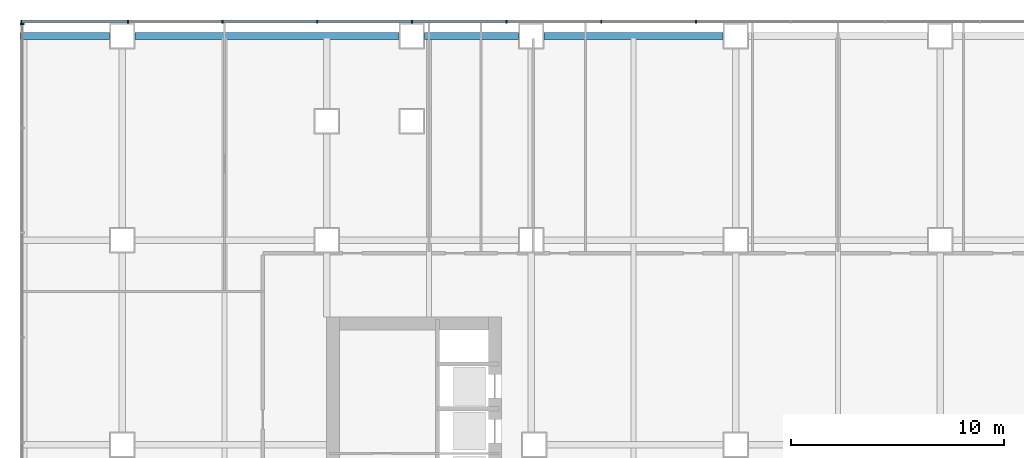
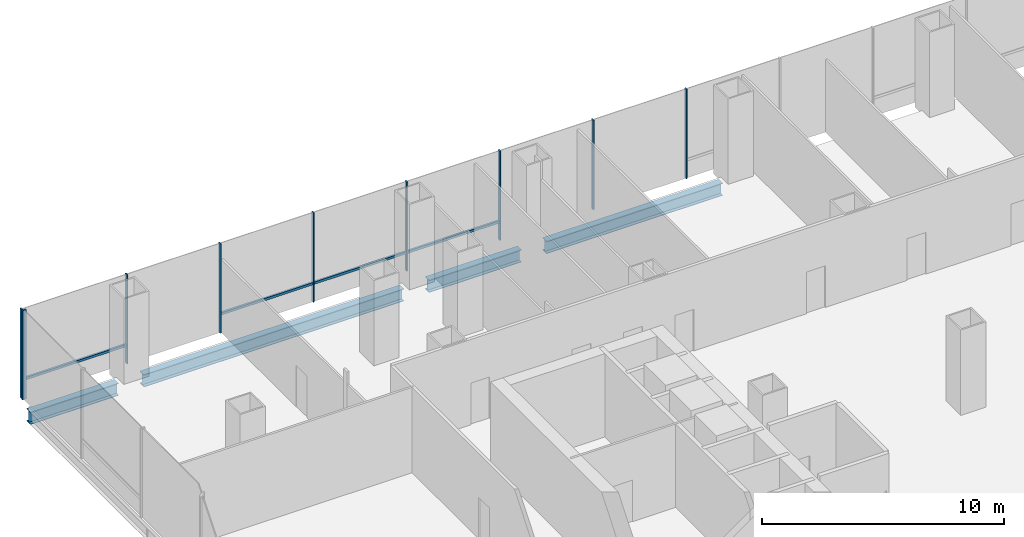
# One storey, part 9 of 23: 13 members, 4 beams, 2 elements without a shape of their own.
"""IFC4 building model written with IfcOpenShell, lengths in metres."""

from ifc_helpers import new_model, si_unit, direction, frame, origin, origin_2d, place, context, subcontext, project, spatial, rectangle, i_section, extrude, material, material_profile, profile_set, type_object, element, aggregate, save


model = new_model("IFC4")

# Units and contexts
model_context = context("Model", 3, precision=1e-05, world=origin(), true_north=direction((0.0, 1.0)))
body_context = subcontext(model_context, "Body", "Model", "MODEL_VIEW")
ifc_project = project(units=[si_unit("LENGTHUNIT", "METRE"), si_unit("AREAUNIT", "SQUARE_METRE"), si_unit("VOLUMEUNIT", "CUBIC_METRE"), si_unit("PLANEANGLEUNIT", "RADIAN"), si_unit("MASSUNIT", "GRAM", prefix="KILO")], contexts=[model_context])

# Site, building, storey
site_placement = place(None, origin())
site = spatial("IfcSite", under=ifc_project, at=site_placement, CompositionType="ELEMENT")
building_placement = place(site_placement, origin())
building = spatial("IfcBuilding", under=site, at=building_placement, Name="Cobrizo Arcos Hotel Tower", CompositionType="ELEMENT")
storey_placement = place(building_placement, frame((0.0, 0.0, 20.0)))
storey = spatial("IfcBuildingStorey", under=building, at=storey_placement, Name="L03", CompositionType="ELEMENT", Elevation=20.0)

# Curtain wall, members
ifc_material_1 = material(Name="Aluminium 6063-T6 anodised bronze", Category="aluminium")
curtain_wall_type_1 = type_object("IfcCurtainWallType", Name="CW-A guest facade", PredefinedType="NOTDEFINED", material=ifc_material_1)
curtain_wall_1_placement = place(storey_placement, origin())
curtain_wall_1 = element("IfcCurtainWall", 1, at=curtain_wall_1_placement, inside=storey, type_object=curtain_wall_type_1, Name="CW-A L03 N face", PredefinedType="NOTDEFINED")
ifc_material_profile_1 = material_profile(ifc_material_1, rectangle(XDim=0.14990234375, YDim=0.06005859375, at=origin_2d()), Name="CW-A mullion 150x60")
ifc_profile_set_1 = profile_set([ifc_material_profile_1], Name="Aluminium 6063-T6 anodised bronze")
member_type_1 = type_object("IfcMemberType", Name="CW-A mullion 150x60", PredefinedType="MULLION", material=ifc_profile_set_1)
member_1_placement = place(storey_placement, frame((-6.666748046875, 24.675048828125, 0.0), z_axis=(0.0, 0.0, 1.0), x_axis=(0.0, 1.0, 0.0)))
member_1 = element("IfcMember", 2, at=member_1_placement, type_object=member_type_1, Name="CW-A mullion 11", PredefinedType="MULLION", context=body_context, shape_type="SweptSolid", body=[
    extrude(rectangle(XDim=0.14990234375, YDim=0.06005859375, at=origin_2d()), origin(), (0.0, 0.0, 1.0), 4.5),
])
member_2_placement = place(storey_placement, frame((-11.111083984375, 24.675048828125, 0.0), z_axis=(0.0, 0.0, 1.0), x_axis=(0.0, 1.0, 0.0)))
member_2 = element("IfcMember", 3, at=member_2_placement, type_object=member_type_1, Name="CW-A mullion 12", PredefinedType="MULLION", context=body_context, shape_type="SweptSolid", body=[
    extrude(rectangle(XDim=0.14990234375, YDim=0.06005859375, at=origin_2d()), origin(), (0.0, 0.0, 1.0), 4.5),
])
member_3_placement = place(storey_placement, frame((-15.5556640625, 24.675048828125, 0.0), z_axis=(0.0, 0.0, 1.0), x_axis=(0.0, 1.0, 0.0)))
member_3 = element("IfcMember", 4, at=member_3_placement, type_object=member_type_1, Name="CW-A mullion 13", PredefinedType="MULLION", context=body_context, shape_type="SweptSolid", body=[
    extrude(rectangle(XDim=0.14990234375, YDim=0.06005859375, at=origin_2d()), origin(), (0.0, 0.0, 1.0), 4.5),
])
member_4_placement = place(storey_placement, frame((-20.0, 24.675048828125, 0.0), z_axis=(0.0, 0.0, 1.0), x_axis=(0.0, 1.0, 0.0)))
member_4 = element("IfcMember", 5, at=member_4_placement, type_object=member_type_1, Name="CW-A mullion 14", PredefinedType="MULLION", context=body_context, shape_type="SweptSolid", body=[
    extrude(rectangle(XDim=0.14990234375, YDim=0.06005859375, at=origin_2d()), origin(), (0.0, 0.0, 1.0), 4.5),
])
member_5_placement = place(storey_placement, frame((-24.4443359375, 24.675048828125, 0.0), z_axis=(0.0, 0.0, 1.0), x_axis=(0.0, 1.0, 0.0)))
member_5 = element("IfcMember", 6, at=member_5_placement, type_object=member_type_1, Name="CW-A mullion 15", PredefinedType="MULLION", context=body_context, shape_type="SweptSolid", body=[
    extrude(rectangle(XDim=0.14990234375, YDim=0.06005859375, at=origin_2d()), origin(), (0.0, 0.0, 1.0), 4.5),
])
member_6_placement = place(storey_placement, frame((-28.888916015625, 24.675048828125, 0.0), z_axis=(0.0, 0.0, 1.0), x_axis=(0.0, 1.0, 0.0)))
member_6 = element("IfcMember", 7, at=member_6_placement, type_object=member_type_1, Name="CW-A mullion 16", PredefinedType="MULLION", context=body_context, shape_type="SweptSolid", body=[
    extrude(rectangle(XDim=0.14990234375, YDim=0.06005859375, at=origin_2d()), origin(), (0.0, 0.0, 1.0), 4.5),
])
member_7_placement = place(storey_placement, frame((-33.333251953125, 24.675048828125, 0.0), z_axis=(0.0, 0.0, 1.0), x_axis=(0.0, 1.0, 0.0)))
member_7 = element("IfcMember", 8, at=member_7_placement, type_object=member_type_1, Name="CW-A mullion 17", PredefinedType="MULLION", context=body_context, shape_type="SweptSolid", body=[
    extrude(rectangle(XDim=0.14990234375, YDim=0.06005859375, at=origin_2d()), origin(), (0.0, 0.0, 1.0), 4.5),
])
member_8_placement = place(storey_placement, frame((-38.344970703125, 24.675048828125, 0.0), z_axis=(0.0, 0.0, 1.0), x_axis=(0.0, 1.0, 0.0)))
member_8 = element("IfcMember", 9, at=member_8_placement, type_object=member_type_1, Name="CW-A mullion 18", PredefinedType="MULLION", context=body_context, shape_type="SweptSolid", body=[
    extrude(rectangle(XDim=0.14990234375, YDim=0.06005859375, at=origin_2d()), origin(), (0.0, 0.0, 1.0), 4.5),
])
ifc_material_profile_2 = material_profile(ifc_material_1, rectangle(XDim=0.10009765625, YDim=0.1201171875, at=origin_2d()), Name="CW-A transom 120x100")
ifc_profile_set_2 = profile_set([ifc_material_profile_2], Name="Aluminium 6063-T6 anodised bronze")
member_type_2 = type_object("IfcMemberType", Name="CW-A transom 120x100", PredefinedType="USERDEFINED", material=ifc_profile_set_2)
member_9_placement = place(storey_placement, frame((-15.58544921875, 24.675048828125, 0.929931640625), z_axis=(-1.0, 0.0, 0.0), x_axis=(0.0, -1.0, 0.0)))
member_9 = element("IfcMember", 10, at=member_9_placement, type_object=member_type_2, Name="CW-A transom 183", ObjectType="TRANSOM", PredefinedType="USERDEFINED", context=body_context, shape_type="SweptSolid", body=[
    extrude(rectangle(XDim=0.10009765625, YDim=0.1201171875, at=origin_2d()), origin(), (0.0, 0.0, 1.0), 4.384521484375),
])
member_10_placement = place(storey_placement, frame((-20.030029296875, 24.675048828125, 0.929931640625), z_axis=(-1.0, 0.0, 0.0), x_axis=(0.0, -1.0, 0.0)))
member_10 = element("IfcMember", 11, at=member_10_placement, type_object=member_type_2, Name="CW-A transom 184", ObjectType="TRANSOM", PredefinedType="USERDEFINED", context=body_context, shape_type="SweptSolid", body=[
    extrude(rectangle(XDim=0.10009765625, YDim=0.1201171875, at=origin_2d()), origin(), (0.0, 0.0, 1.0), 4.384521484375),
])
member_11_placement = place(storey_placement, frame((-24.474365234375, 24.675048828125, 0.929931640625), z_axis=(-1.0, 0.0, 0.0), x_axis=(0.0, -1.0, 0.0)))
member_11 = element("IfcMember", 12, at=member_11_placement, type_object=member_type_2, Name="CW-A transom 185", ObjectType="TRANSOM", PredefinedType="USERDEFINED", context=body_context, shape_type="SweptSolid", body=[
    extrude(rectangle(XDim=0.10009765625, YDim=0.1201171875, at=origin_2d()), origin(), (0.0, 0.0, 1.0), 4.384521484375),
])
member_12_placement = place(storey_placement, frame((-33.36328125, 24.675048828125, 0.929931640625), z_axis=(-1.0, 0.0, 0.0), x_axis=(0.0, -1.0, 0.0)))
member_12 = element("IfcMember", 13, at=member_12_placement, type_object=member_type_2, Name="CW-A transom 187", ObjectType="TRANSOM", PredefinedType="USERDEFINED", context=body_context, shape_type="SweptSolid", body=[
    extrude(rectangle(XDim=0.10009765625, YDim=0.1201171875, at=origin_2d()), origin(), (0.0, 0.0, 1.0), 4.95166015625),
])
aggregate(curtain_wall_1, [member_1, member_2, member_3, member_4, member_5, member_6, member_7, member_8, member_9, member_10, member_11, member_12])

# Curtain wall, member
curtain_wall_type_2 = type_object("IfcCurtainWallType", Name="CW-B podium glazing", PredefinedType="NOTDEFINED", material=ifc_material_1)
curtain_wall_2_placement = place(storey_placement, origin())
curtain_wall_2 = element("IfcCurtainWall", 14, at=curtain_wall_2_placement, inside=storey, type_object=curtain_wall_type_2, Name="CW-B L03 W face", PredefinedType="NOTDEFINED")
ifc_material_profile_3 = material_profile(ifc_material_1, rectangle(XDim=0.199951171875, YDim=0.080078125, at=origin_2d()), Name="CW-B mullion 200x80")
ifc_profile_set_3 = profile_set([ifc_material_profile_3], Name="Aluminium 6063-T6 anodised bronze")
member_type_3 = type_object("IfcMemberType", Name="CW-B mullion 200x80", PredefinedType="MULLION", material=ifc_profile_set_3)
member_13_placement = place(storey_placement, frame((-38.300048828125, 24.56005859375, 0.0), z_axis=(0.0, 0.0, 1.0), x_axis=(-1.0, 0.0, 0.0)))
member_13 = element("IfcMember", 15, at=member_13_placement, type_object=member_type_3, Name="CW-B mullion 1", PredefinedType="MULLION", context=body_context, shape_type="SweptSolid", body=[
    extrude(rectangle(XDim=0.199951171875, YDim=0.080078125, at=origin_2d()), origin(), (0.0, 0.0, 1.0), 4.5),
])
aggregate(curtain_wall_2, [member_13])

# Beams
ifc_material_2 = material(Name="Steel ASTM A992 Grade 50", Category="steel")
ifc_material_profile_4 = material_profile(ifc_material_2, i_section(OverallWidth=0.32763671875, OverallDepth=0.622314453125, WebThickness=0.015380859375, FlangeThickness=0.0244140625, at=origin_2d()), Name="W24X131")
ifc_profile_set_4 = profile_set([ifc_material_profile_4], Name="Steel ASTM A992 Grade 50")
beam_type_1 = type_object("IfcBeamType", Name="W24X131 edge beam", PredefinedType="BEAM", material=ifc_profile_set_4)
beam_1_placement = place(storey_placement, frame((-34.199951171875, 24.0, -0.51123046875), z_axis=(-1.0, 0.0, 0.0), x_axis=(0.0, -1.0, 0.0)))
element("IfcBeam", 16, at=beam_1_placement, inside=storey, type_object=beam_type_1, Name="Edge beam EB1, L03, no. 007", PredefinedType="BEAM", context=body_context, shape_type="SweptSolid", body=[
    extrude(i_section(OverallWidth=0.32763671875, OverallDepth=0.622314453125, WebThickness=0.015380859375, FlangeThickness=0.0244140625, at=origin_2d()), origin(), (0.0, 0.0, 1.0), 4.199951171875),
])
ifc_material_profile_5 = material_profile(ifc_material_2, i_section(OverallWidth=0.32763671875, OverallDepth=0.622314453125, WebThickness=0.015380859375, FlangeThickness=0.0244140625, at=origin_2d()), Name="W24X131")
ifc_profile_set_5 = profile_set([ifc_material_profile_5], Name="Steel ASTM A992 Grade 50")
beam_type_2 = type_object("IfcBeamType", Name="W24X131 spandrel", PredefinedType="SPANDREL", material=ifc_profile_set_5)
beam_2_placement = place(storey_placement, frame((-5.39990234375, 24.0, -0.51123046875), z_axis=(-1.0, 0.0, 0.0), x_axis=(0.0, -1.0, 0.0)))
element("IfcBeam", 17, at=beam_2_placement, inside=storey, type_object=beam_type_2, Name="Spandrel beam W24X131, L03, no. 005", PredefinedType="SPANDREL", context=body_context, shape_type="SweptSolid", body=[
    extrude(i_section(OverallWidth=0.32763671875, OverallDepth=0.622314453125, WebThickness=0.015380859375, FlangeThickness=0.0244140625, at=origin_2d()), origin(), (0.0, 0.0, 1.0), 8.400146484375),
])
beam_3_placement = place(storey_placement, frame((-15.0, 24.0, -0.51123046875), z_axis=(-1.0, 0.0, 0.0), x_axis=(0.0, -1.0, 0.0)))
element("IfcBeam", 18, at=beam_3_placement, inside=storey, type_object=beam_type_2, Name="Spandrel beam W24X131, L03, no. 006", PredefinedType="SPANDREL", context=body_context, shape_type="SweptSolid", body=[
    extrude(i_section(OverallWidth=0.32763671875, OverallDepth=0.622314453125, WebThickness=0.015380859375, FlangeThickness=0.0244140625, at=origin_2d()), origin(), (0.0, 0.0, 1.0), 4.39990234375),
])
beam_4_placement = place(storey_placement, frame((-20.60009765625, 24.0, -0.51123046875), z_axis=(-1.0, 0.0, 0.0), x_axis=(0.0, -1.0, 0.0)))
element("IfcBeam", 19, at=beam_4_placement, inside=storey, type_object=beam_type_2, Name="Spandrel beam W24X131, L03, no. 007", PredefinedType="SPANDREL", context=body_context, shape_type="SweptSolid", body=[
    extrude(i_section(OverallWidth=0.32763671875, OverallDepth=0.622314453125, WebThickness=0.015380859375, FlangeThickness=0.0244140625, at=origin_2d()), origin(), (0.0, 0.0, 1.0), 12.39990234375),
])

save(model, "model.ifc")
